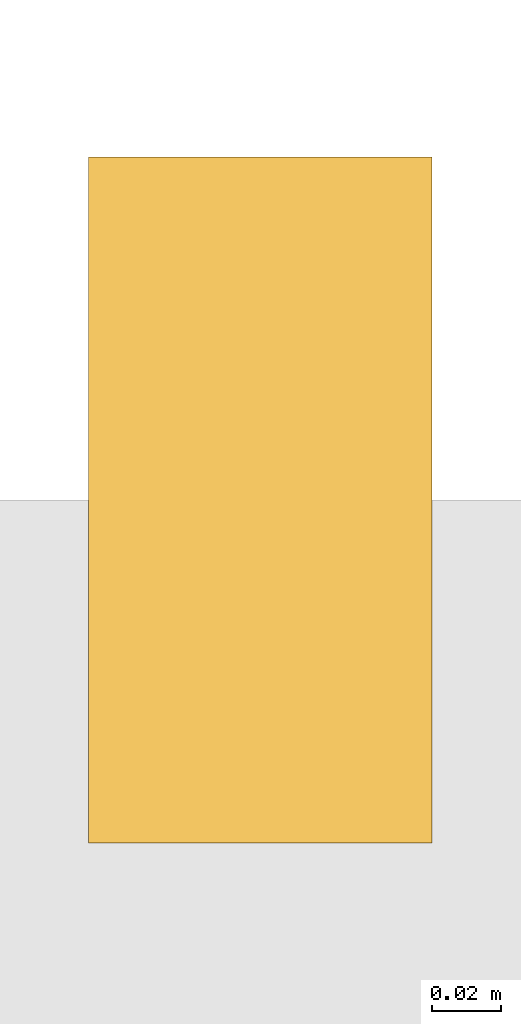
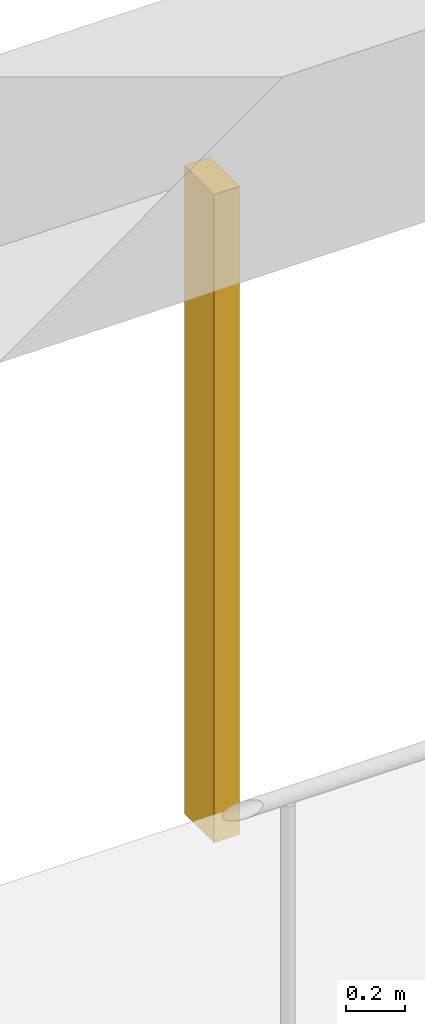
# One storey, part 15 of 21: 1 shading device.
"""IFC4 building model written with IfcOpenShell, lengths in metres."""

from ifc_helpers import new_model, si_unit, direction, frame, origin, origin_2d, place, context, subcontext, project, spatial, rectangle, extrude, material, material_profile, profile_set, type_object, element, save


model = new_model("IFC4")

# Units and contexts
model_context = context("Model", 3, precision=1e-05, world=origin(), true_north=direction((0.0, 1.0)))
body_context = subcontext(model_context, "Body", "Model", "MODEL_VIEW")
ifc_project = project(units=[si_unit("LENGTHUNIT", "METRE"), si_unit("AREAUNIT", "SQUARE_METRE"), si_unit("VOLUMEUNIT", "CUBIC_METRE"), si_unit("PLANEANGLEUNIT", "RADIAN"), si_unit("MASSUNIT", "GRAM", prefix="KILO")], contexts=[model_context])

# Site, building, storey
site_placement = place(None, origin())
site = spatial("IfcSite", under=ifc_project, at=site_placement, CompositionType="ELEMENT")
building_placement = place(site_placement, origin())
building = spatial("IfcBuilding", under=site, at=building_placement, Name="Vermilion Gate Residences", CompositionType="ELEMENT")
storey_placement = place(building_placement, frame((0.0, 0.0, 67.199951171875)))
storey = spatial("IfcBuildingStorey", under=building, at=storey_placement, Name="L16", CompositionType="ELEMENT", Elevation=67.199951171875)

# Shading device
ifc_material = material(Name="Extruded terracotta", Category="masonry")
ifc_material_profile = material_profile(ifc_material, rectangle(XDim=0.199951171875, YDim=0.10009765625, at=origin_2d()), Name="BAGUETTE 100 X 200")
ifc_profile_set = profile_set([ifc_material_profile], Name="Extruded terracotta")
shading_device_type = type_object("IfcShadingDeviceType", Name="TERRACOTTA BAGUETTE 100 X 200", PredefinedType="JALOUSIE", material=ifc_profile_set)
shading_device_placement = place(storey_placement, frame((63.0, 25.5, -0.280029296875), z_axis=(0.0, 0.0, 1.0), x_axis=(0.0, -1.0, 0.0)))
element("IfcShadingDevice", 1, at=shading_device_placement, inside=storey, type_object=shading_device_type, Name="BAGUETTE", PredefinedType="JALOUSIE", context=body_context, shape_type="SweptSolid", body=[
    extrude(rectangle(XDim=0.199951171875, YDim=0.10009765625, at=origin_2d()), origin(), (0.0, 0.0, 1.0), 2.7001953125),
])

save(model, "model.ifc")
